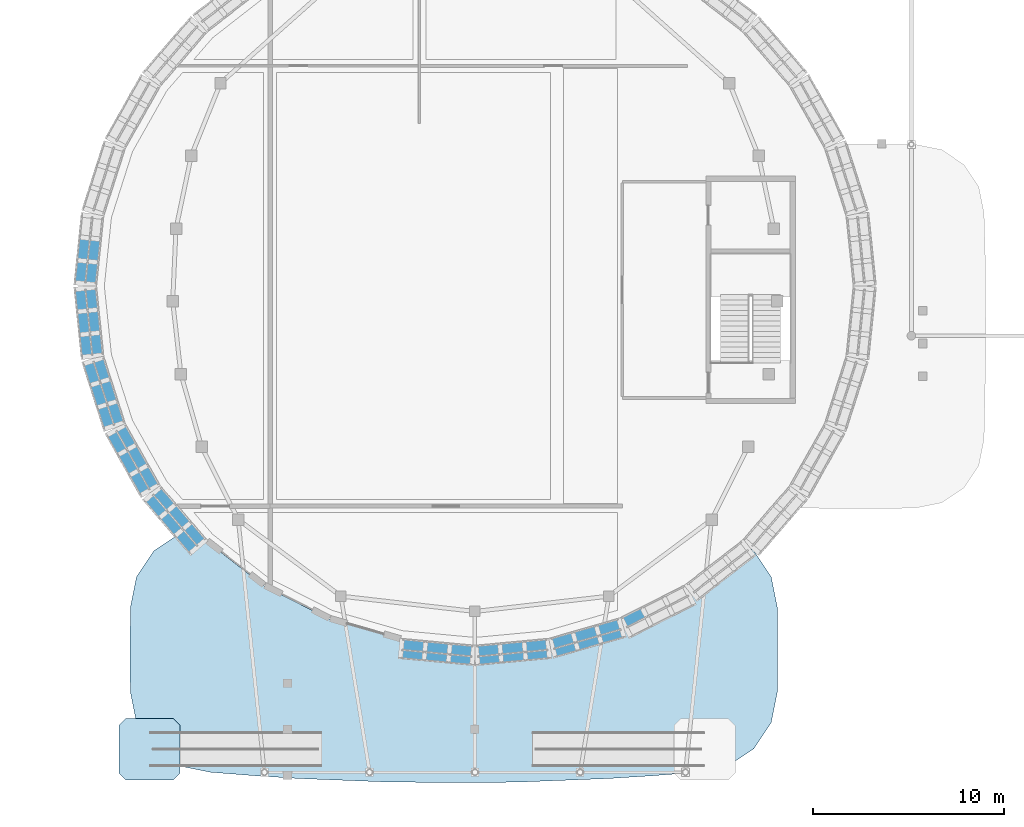
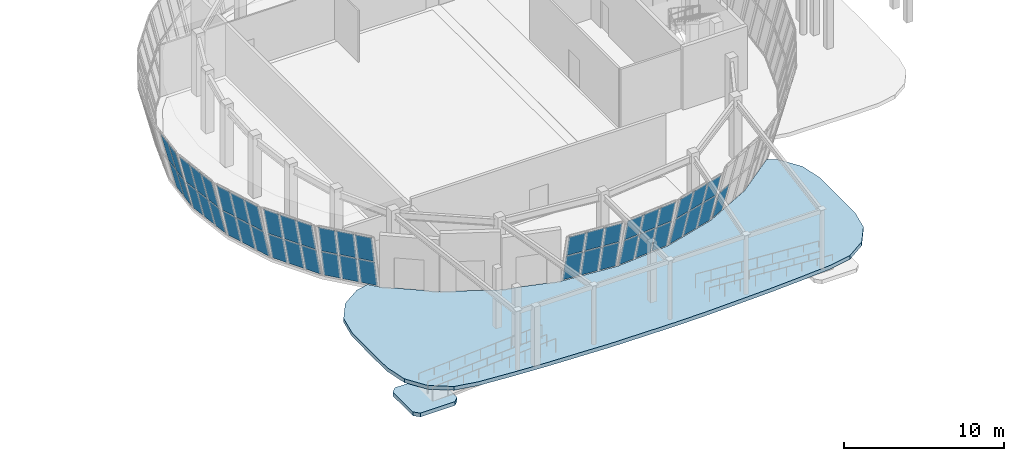
# One storey, part 66 of 120: 47 plates, 2 slabs, 9 elements without a shape of their own.
"""IFC4 building model written with IfcOpenShell, lengths in metres."""

from ifc_helpers import new_model, si_unit, direction, frame, origin, place, context, subcontext, project, spatial, polyline, outline, extrude, material, layer, layer_set, type_object, element, aggregate, save


model = new_model("IFC4")

# Units and contexts
model_context = context("Model", 3, precision=1e-05, world=origin(), true_north=direction((0.0, 1.0)))
body_context = subcontext(model_context, "Body", "Model", "MODEL_VIEW")
ifc_project = project(units=[si_unit("LENGTHUNIT", "METRE"), si_unit("AREAUNIT", "SQUARE_METRE"), si_unit("VOLUMEUNIT", "CUBIC_METRE"), si_unit("PLANEANGLEUNIT", "RADIAN"), si_unit("MASSUNIT", "GRAM", prefix="KILO")], contexts=[model_context])

# Site, building, storey
site_placement = place(None, origin())
site = spatial("IfcSite", under=ifc_project, at=site_placement, CompositionType="ELEMENT")
building_placement = place(site_placement, origin())
building = spatial("IfcBuilding", under=site, at=building_placement, Name="Corveleigh Park Community Centre", CompositionType="ELEMENT")
storey_placement = place(building_placement, origin())
storey = spatial("IfcBuildingStorey", under=building, at=storey_placement, Name="L00", CompositionType="ELEMENT", Elevation=0.0)

# Curtain wall, plates
ifc_material_1 = material(Name="Anodised aluminium 6063-T6", Category="aluminium")
curtain_wall_type = type_object("IfcCurtainWallType", Name="CW-SYS-V1-L00", PredefinedType="NOTDEFINED", material=ifc_material_1)
curtain_wall_1_placement = place(storey_placement, origin())
curtain_wall_1 = element("IfcCurtainWall", 1, at=curtain_wall_1_placement, inside=storey, type_object=curtain_wall_type, Name="Main Hall Flared Drum CW 16", PredefinedType="NOTDEFINED")
ifc_material_2 = material(Name="Low-E double glazing", Category="glass")
ifc_layer_1 = layer(ifc_material_2, 0.028076171875, Name="Low-E double glazing", Category="glass")
ifc_layer_set_1 = layer_set([ifc_layer_1], Name="Low-E double glazing")
plate_type = type_object("IfcPlateType", Name="CWP-GLZ-28", PredefinedType="CURTAIN_PANEL", material=ifc_layer_set_1)
plate_1_placement = place(storey_placement, frame((11.4296875, 29.99853515625, 0.074951171875), z_axis=(0.965121412, -0.099894306938, 0.241995428758), x_axis=(-0.102953732741, -0.994686145931, -2.608541e-06)))
plate_1 = element("IfcPlate", 2, at=plate_1_placement, type_object=plate_type, Name="CW01 panel 2.1", PredefinedType="CURTAIN_PANEL", context=body_context, shape_type="SweptSolid", body=[
    extrude(outline(polyline([(0.0, 0.0), (1.1312542424598007, -3.469446951953614e-18), (1.1312025546909217, -2.202930982348133), (0.0001911555284673442, -2.202924900362015), (0.0, 0.0)])), origin(), (0.0, 0.0, -1.0), 0.028076171875),
])
plate_2_placement = place(storey_placement, frame((10.880859375, 30.05517578125, 2.28759765625), z_axis=(0.96514925401, -0.099908028247, 0.24187869558), x_axis=(-0.102965432712, -0.994684934875, 0.0)))
plate_2 = element("IfcPlate", 3, at=plate_2_placement, type_object=plate_type, Name="CW01 panel 2.2", PredefinedType="CURTAIN_PANEL", context=body_context, shape_type="SweptSolid", body=[
    extrude(outline(polyline([(0.0, 0.0), (1.1310113992445434, 0.0), (1.131005233308954, -2.2151908400626152), (-6.165935589490798e-06, -2.2151908400626152), (0.0, 0.0)])), origin(), (0.0, 0.0, -1.0), 0.028076171875),
])
plate_3_placement = place(storey_placement, frame((11.304931640625, 28.793701171875, 0.074951171875), z_axis=(0.965147534385, -0.099880284773, 0.241897014417), x_axis=(-0.102937324698, -0.994687844092, 0.0)))
plate_3 = element("IfcPlate", 4, at=plate_3_placement, type_object=plate_type, Name="CW01 panel 3.1", PredefinedType="CURTAIN_PANEL", context=body_context, shape_type="SweptSolid", body=[
    extrude(outline(polyline([(0.0, 0.0), (1.0910006436399386, 0.0), (1.0909206062860608, -2.202872226533213), (-8.003735387782096e-05, -2.202872226533213), (0.0, 0.0)])), origin(), (0.0, 0.0, -1.0), 0.028076171875),
])
plate_4_placement = place(storey_placement, frame((10.756103515625, 28.8505859375, 2.28759765625), z_axis=(0.965152076883, -0.099880754863, 0.241878695415), x_axis=(-0.102937324698, -0.994687844092, 0.0)))
plate_4 = element("IfcPlate", 5, at=plate_4_placement, type_object=plate_type, Name="CW01 panel 3.2", PredefinedType="CURTAIN_PANEL", context=body_context, shape_type="SweptSolid", body=[
    extrude(outline(polyline([(0.0, 0.0), (1.0910006436399386, 0.0), (1.0909793367675753, -2.2151908399687263), (-2.1306872363381635e-05, -2.2151908399687263), (0.0, 0.0)])), origin(), (0.0, 0.0, -1.0), 0.028076171875),
])
aggregate(curtain_wall_1, [plate_1, plate_2, plate_3, plate_4])

curtain_wall_2_placement = place(storey_placement, origin())
curtain_wall_2 = element("IfcCurtainWall", 6, at=curtain_wall_2_placement, inside=storey, type_object=curtain_wall_type, Name="Main Hall Flared Drum CW 17", PredefinedType="NOTDEFINED")
plate_5_placement = place(storey_placement, frame((11.192626953125, 27.491455078125, 0.074951171875), z_axis=(0.965147534385, 0.099880284773, 0.241897014417), x_axis=(0.102937324698, -0.994687844092, 0.0)))
plate_5 = element("IfcPlate", 7, at=plate_5_placement, type_object=plate_type, Name="CW01 panel 1.1", PredefinedType="CURTAIN_PANEL", context=body_context, shape_type="SweptSolid", body=[
    extrude(outline(polyline([(0.0, 0.0), (1.0910006436399386, 0.0), (1.0910806809938163, -2.202872226533213), (8.003735387782096e-05, -2.202872226533213), (0.0, 0.0)])), origin(), (0.0, 0.0, -1.0), 0.028076171875),
])
plate_6_placement = place(storey_placement, frame((10.643798828125, 27.434814453125, 2.28759765625), z_axis=(0.965154376934, 0.099858527528, 0.241878695146), x_axis=(0.102914417151, -0.99469021446, 0.0)))
plate_6 = element("IfcPlate", 8, at=plate_6_placement, type_object=plate_type, Name="CW01 panel 1.2", PredefinedType="CURTAIN_PANEL", context=body_context, shape_type="SweptSolid", body=[
    extrude(outline(polyline([(0.0, 0.0), (1.091243487641259, 0.0), (1.0912771340836867, -2.215190839815669), (3.364644242780823e-05, -2.215190839815669), (0.0, 0.0)])), origin(), (0.0, 0.0, -1.0), 0.028076171875),
])
plate_7_placement = place(storey_placement, frame((11.313232421875, 26.32666015625, 0.074951171875), z_axis=(0.965121412, 0.099894306938, 0.241995428758), x_axis=(0.102953732741, -0.994686145931, 2.608541e-06)))
plate_7 = element("IfcPlate", 9, at=plate_7_placement, type_object=plate_type, Name="CW01 panel 2.1", PredefinedType="CURTAIN_PANEL", context=body_context, shape_type="SweptSolid", body=[
    extrude(outline(polyline([(0.0, 0.0), (1.1312542424598007, 3.469446951953614e-18), (1.1310630869313334, -2.202924900362015), (5.168776887919163e-05, -2.202930982348133), (0.0, 0.0)])), origin(), (0.0, 0.0, -1.0), 0.028076171875),
])
plate_8_placement = place(storey_placement, frame((10.764404296875, 26.269775390625, 2.28759765625), z_axis=(0.96514925401, 0.099908028247, 0.24187869558), x_axis=(0.102965432712, -0.994684934875, 0.0)))
plate_8 = element("IfcPlate", 10, at=plate_8_placement, type_object=plate_type, Name="CW01 panel 2.2", PredefinedType="CURTAIN_PANEL", context=body_context, shape_type="SweptSolid", body=[
    extrude(outline(polyline([(0.0, 0.0), (1.1310113992445434, 0.0), (1.131017565180133, -2.2151908400626152), (6.165935589490798e-06, -2.2151908400626152), (0.0, 0.0)])), origin(), (0.0, 0.0, -1.0), 0.028076171875),
])
plate_9_placement = place(storey_placement, frame((11.437744140625, 25.1220703125, 0.074951171875), z_axis=(0.965149834568, 0.099858057558, 0.241897013569), x_axis=(0.102914417151, -0.99469021446, 0.0)))
plate_9 = element("IfcPlate", 11, at=plate_9_placement, type_object=plate_type, Name="CW01 panel 3.1", PredefinedType="CURTAIN_PANEL", context=body_context, shape_type="SweptSolid", body=[
    extrude(outline(polyline([(0.0, 0.0), (1.091243487641259, 0.0), (1.091335796874543, -2.202872226053154), (9.230923328408548e-05, -2.202872226053154), (0.0, 0.0)])), origin(), (0.0, 0.0, -1.0), 0.028076171875),
])
plate_10_placement = place(storey_placement, frame((10.88916015625, 25.065185546875, 2.28759765625), z_axis=(0.965126479816, 0.099878105898, 0.241981904118), x_axis=(0.102937324698, -0.994687844092, 0.0)))
plate_10 = element("IfcPlate", 12, at=plate_10_placement, type_object=plate_type, Name="CW01 panel 3.2", PredefinedType="CURTAIN_PANEL", context=body_context, shape_type="SweptSolid", body=[
    extrude(outline(polyline([(0.0, 0.0), (1.0910006436399386, 0.0), (1.0909968193295143, -2.215249591220917), (-3.824310424199728e-06, -2.215249591220917), (0.0, 0.0)])), origin(), (0.0, 0.0, -1.0), 0.028076171875),
])
aggregate(curtain_wall_2, [plate_5, plate_6, plate_7, plate_8, plate_9, plate_10])

curtain_wall_3_placement = place(storey_placement, origin())
curtain_wall_3 = element("IfcCurtainWall", 13, at=curtain_wall_3_placement, inside=storey, type_object=curtain_wall_type, Name="Main Hall Flared Drum CW 18", PredefinedType="NOTDEFINED")
plate_11_placement = place(storey_placement, frame((11.594482421875, 23.82421875, 0.074951171875), z_axis=(0.924238399796, 0.295401892102, 0.241911352533), x_axis=(0.304444391368, -0.952530111106, 0.0)))
plate_11 = element("IfcPlate", 14, at=plate_11_placement, type_object=plate_type, Name="CW01 panel 1.1", PredefinedType="CURTAIN_PANEL", context=body_context, shape_type="SweptSolid", body=[
    extrude(outline(polyline([(0.0, 0.0), (1.0962272383307061, 0.0), (1.0963475103597462, -2.2028803419974667), (0.00012027202904019057, -2.202880341997467), (0.0, 0.0)])), origin(), (0.0, 0.0, -1.0), 0.028076171875),
])
plate_12_placement = place(storey_placement, frame((11.069091796875, 23.656005859375, 2.28759765625), z_axis=(0.92421523089, 0.295463568902, 0.241924547003), x_axis=(0.304508988552, -0.952509462363, 0.0)))
plate_12 = element("IfcPlate", 15, at=plate_12_placement, type_object=plate_type, Name="CW01 panel 1.2", PredefinedType="CURTAIN_PANEL", context=body_context, shape_type="SweptSolid", body=[
    extrude(outline(polyline([(0.0, 0.0), (1.0959946895543804, 1.3877787807814457e-17), (1.0958843442895703, -2.2152169371802213), (-0.00011034526481001894, -2.2152169371802213), (0.0, 0.0)])), origin(), (0.0, 0.0, -1.0), 0.028076171875),
])
plate_13_placement = place(storey_placement, frame((11.95263671875, 22.703857421875, 0.074951171875), z_axis=(0.924210611668, 0.295488816953, 0.24191135636), x_axis=(0.304533977361, -0.952501473297, 0.0)))
plate_13 = element("IfcPlate", 16, at=plate_13_placement, type_object=plate_type, Name="CW01 panel 2.1", PredefinedType="CURTAIN_PANEL", context=body_context, shape_type="SweptSolid", body=[
    extrude(outline(polyline([(0.0, 0.0), (1.1359890565361874, 0.0), (1.136059208101122, -2.2028803441637486), (7.015156493470065e-05, -2.2028803441637486), (0.0, 0.0)])), origin(), (0.0, 0.0, -1.0), 0.028076171875),
])
plate_14_placement = place(storey_placement, frame((11.42724609375, 22.535888671875, 2.28759765625), z_axis=(0.924199974742, 0.295485416112, 0.241956143862), x_axis=(0.304533977361, -0.952501473297, 0.0)))
plate_14 = element("IfcPlate", 17, at=plate_14_placement, type_object=plate_type, Name="CW01 panel 2.2", PredefinedType="CURTAIN_PANEL", context=body_context, shape_type="SweptSolid", body=[
    extrude(outline(polyline([(0.0, 0.0), (1.1359890565361874, 0.0), (1.1360971959343402, -2.2152349244859186), (0.00010813939815287887, -2.2152349244859186), (0.0, 0.0)])), origin(), (0.0, 0.0, -1.0), 0.028076171875),
])
plate_15_placement = place(storey_placement, frame((12.322998046875, 21.545654296875, 0.074951171875), z_axis=(0.924238399796, 0.295401892102, 0.241911352533), x_axis=(0.304444391368, -0.952530111106, 0.0)))
plate_15 = element("IfcPlate", 18, at=plate_15_placement, type_object=plate_type, Name="CW01 panel 3.1", PredefinedType="CURTAIN_PANEL", context=body_context, shape_type="SweptSolid", body=[
    extrude(outline(polyline([(0.0, 0.0), (1.0962272383307061, 0.0), (1.0963475103597462, -2.2028803419974667), (0.00012027202904019057, -2.202880341997467), (0.0, 0.0)])), origin(), (0.0, 0.0, -1.0), 0.028076171875),
])
plate_16_placement = place(storey_placement, frame((11.797607421875, 21.37744140625, 2.28759765625), z_axis=(0.92421523089, 0.295463568902, 0.241924547003), x_axis=(0.304508988552, -0.952509462363, 0.0)))
plate_16 = element("IfcPlate", 19, at=plate_16_placement, type_object=plate_type, Name="CW01 panel 3.2", PredefinedType="CURTAIN_PANEL", context=body_context, shape_type="SweptSolid", body=[
    extrude(outline(polyline([(0.0, 0.0), (1.0959946895543804, 1.3877787807814457e-17), (1.0958843442895703, -2.2152169371802213), (-0.00011034526481001894, -2.2152169371802213), (0.0, 0.0)])), origin(), (0.0, 0.0, -1.0), 0.028076171875),
])
aggregate(curtain_wall_3, [plate_11, plate_12, plate_13, plate_14, plate_15, plate_16])

curtain_wall_4_placement = place(storey_placement, origin())
curtain_wall_4 = element("IfcCurtainWall", 20, at=curtain_wall_4_placement, inside=storey, type_object=curtain_wall_type, Name="Main Hall Flared Drum CW 19", PredefinedType="NOTDEFINED")
plate_17_placement = place(storey_placement, frame((12.742919921875, 20.30419921875, 0.074951171875), z_axis=(0.845572958026, 0.475902510824, 0.241915631669), x_axis=(0.490470824454, -0.871457612486, 0.0)))
plate_17 = element("IfcPlate", 21, at=plate_17_placement, type_object=plate_type, Name="CW01 panel 1.1", PredefinedType="CURTAIN_PANEL", context=body_context, shape_type="SweptSolid", body=[
    extrude(outline(polyline([(0.0, 0.0), (1.1060402407301373, -1.3877787807814457e-17), (1.106151469944307, -2.2028827641260698), (0.00011122921416961695, -2.2028827641260698), (0.0, 0.0)])), origin(), (0.0, 0.0, -1.0), 0.028076171875),
])
plate_18_placement = place(storey_placement, frame((12.26220703125, 20.033447265625, 2.28759765625), z_axis=(0.845545685204, 0.475947438258, 0.241922570772), x_axis=(0.490520763399, -0.871429504041, -1.2710366e-05)))
plate_18 = element("IfcPlate", 22, at=plate_18_placement, type_object=plate_type, Name="CW01 panel 1.2", PredefinedType="CURTAIN_PANEL", context=body_context, shape_type="SweptSolid", body=[
    extrude(outline(polyline([(0.0, 0.0), (1.1058274874809264, -1.3877787807814457e-17), (1.1058400493478449, -2.2152302983719685), (-0.00020018947684150083, -2.2152013240576878), (0.0, 0.0)])), origin(), (0.0, 0.0, -1.0), 0.028076171875),
])
plate_19_placement = place(storey_placement, frame((13.32470703125, 19.270751953125, 0.074951171875), z_axis=(0.845561557323, 0.475899654299, 0.241961095667), x_axis=(0.490468874936, -0.871458709432, 2.1792119e-05)))
plate_19 = element("IfcPlate", 23, at=plate_19_placement, type_object=plate_type, Name="CW01 panel 2.1", PredefinedType="CURTAIN_PANEL", context=body_context, shape_type="SweptSolid", body=[
    extrude(outline(polyline([(0.0, 0.0), (1.1460441724578074, 0.0), (1.1462031733562068, -2.2028827587777835), (3.925752072972813e-05, -2.2029342405832093), (0.0, 0.0)])), origin(), (0.0, 0.0, -1.0), 0.028076171875),
])
plate_20_placement = place(storey_placement, frame((12.843994140625, 19.0, 2.28759765625), z_axis=(0.845558848019, 0.475911116905, 0.241948017852), x_axis=(0.490483775951, -0.871450323041, 0.0)))
plate_20 = element("IfcPlate", 24, at=plate_20_placement, type_object=plate_type, Name="CW01 panel 2.2", PredefinedType="CURTAIN_PANEL", context=body_context, shape_type="SweptSolid", body=[
    extrude(outline(polyline([(0.0, 0.0), (1.1458314144234052, 1.3877787807814457e-17), (1.14589404492158, -2.2152302982841046), (6.26304981747039e-05, -2.2152302982841046), (0.0, 0.0)])), origin(), (0.0, 0.0, -1.0), 0.028076171875),
])
plate_21_placement = place(storey_placement, frame((13.926025390625, 18.202392578125, 0.074951171875), z_axis=(0.845608850053, 0.475815618134, 0.241961092433), x_axis=(0.490391908208, -0.871502022863, -2.2581573e-05)))
plate_21 = element("IfcPlate", 25, at=plate_21_placement, type_object=plate_type, Name="CW01 panel 3.1", PredefinedType="CURTAIN_PANEL", context=body_context, shape_type="SweptSolid", body=[
    extrude(outline(polyline([(0.0, 0.0), (1.1060402359133414, -2.7755575615628914e-17), (1.1060317309074392, -2.2029342409163166), (0.00011121958106252822, -2.2028827617081026), (0.0, 0.0)])), origin(), (0.0, 0.0, -1.0), 0.028076171875),
])
plate_22_placement = place(storey_placement, frame((13.4453125, 17.931640625, 2.28759765625), z_axis=(0.845545685204, 0.475947438258, 0.241922570772), x_axis=(0.490520763399, -0.871429504041, -1.2710366e-05)))
plate_22 = element("IfcPlate", 26, at=plate_22_placement, type_object=plate_type, Name="CW01 panel 3.2", PredefinedType="CURTAIN_PANEL", context=body_context, shape_type="SweptSolid", body=[
    extrude(outline(polyline([(0.0, 0.0), (1.1058274874809264, -1.3877787807814457e-17), (1.1058400493478449, -2.2152302983719685), (-0.00020018947684150083, -2.2152013240576878), (0.0, 0.0)])), origin(), (0.0, 0.0, -1.0), 0.028076171875),
])
aggregate(curtain_wall_4, [plate_17, plate_18, plate_19, plate_20, plate_21, plate_22])

curtain_wall_5_placement = place(storey_placement, origin())
curtain_wall_5 = element("IfcCurtainWall", 27, at=curtain_wall_5_placement, inside=storey, type_object=curtain_wall_type, Name="Main Hall Flared Drum CW 20", PredefinedType="NOTDEFINED")
plate_23_placement = place(storey_placement, frame((14.59228515625, 17.062255859375, 0.074951171875), z_axis=(0.73404828675, 0.634528890091, 0.241963221087), x_axis=(0.653957406927, -0.756531367194, 1.9402051e-05)))
plate_23 = element("IfcPlate", 28, at=plate_23_placement, type_object=plate_type, Name="CW01 panel 1.1", PredefinedType="CURTAIN_PANEL", context=body_context, shape_type="SweptSolid", body=[
    extrude(outline(polyline([(0.0, 0.0), (1.1174713485171794, 0.0), (1.1176698295902288, -2.2028873559515003), (3.882350299882729e-05, -2.202932049573967), (0.0, 0.0)])), origin(), (0.0, 0.0, -1.0), 0.028076171875),
])
plate_24_placement = place(storey_placement, frame((14.1748046875, 16.701416015625, 2.28759765625), z_axis=(0.734043675867, 0.634539271127, 0.241949985157), x_axis=(0.653972704978, -0.756518143115, -1.6768558e-05)))
plate_24 = element("IfcPlate", 29, at=plate_24_placement, type_object=plate_type, Name="CW01 panel 1.2", PredefinedType="CURTAIN_PANEL", context=body_context, shape_type="SweptSolid", body=[
    extrude(outline(polyline([(0.0, 0.0), (1.1176310078887464, -2.7755575615628914e-17), (1.1176221602716365, -2.2152507333789075), (-0.0001935444293938893, -2.215212100323459), (0.0, 0.0)])), origin(), (0.0, 0.0, -1.0), 0.028076171875),
])
plate_25_placement = place(storey_placement, frame((15.375244140625, 16.15625, 0.074951171875), z_axis=(0.734074393715, 0.634526744226, 0.241889634655), x_axis=(0.653943437992, -0.756543442008, 1.6182402e-05)))
plate_25 = element("IfcPlate", 30, at=plate_25_placement, type_object=plate_type, Name="CW01 panel 2.1", PredefinedType="CURTAIN_PANEL", context=body_context, shape_type="SweptSolid", body=[
    extrude(outline(polyline([(0.0, 0.0), (1.1578018728364126, 2.7755575615628914e-17), (1.1578186093002019, -2.202848740357441), (0.00020143945256092863, -2.202887356143626), (0.0, 0.0)])), origin(), (0.0, 0.0, -1.0), 0.028076171875),
])
plate_26_placement = place(storey_placement, frame((14.9580078125, 15.79541015625, 2.28759765625), z_axis=(0.734063009963, 0.634516904222, 0.241949985865), x_axis=(0.653949544007, -0.756538164028, -1.6188772e-05)))
plate_26 = element("IfcPlate", 31, at=plate_26_placement, type_object=plate_type, Name="CW01 panel 2.2", PredefinedType="CURTAIN_PANEL", context=body_context, shape_type="SweptSolid", body=[
    extrude(outline(polyline([(0.0, 0.0), (1.1576171704917941, -2.7755575615628914e-17), (1.157625980307248, -2.2152507333791536), (-0.0001758918847480985, -2.2152121017955335), (0.0, 0.0)])), origin(), (0.0, 0.0, -1.0), 0.028076171875),
])
plate_27_placement = place(storey_placement, frame((16.1845703125, 15.2197265625, 0.074951171875), z_axis=(0.734016166689, 0.634607104553, 0.241855514494), x_axis=(0.654023576954, -0.756474163992, 0.0)))
plate_27 = element("IfcPlate", 32, at=plate_27_placement, type_object=plate_type, Name="CW01 panel 3.1", PredefinedType="CURTAIN_PANEL", context=body_context, shape_type="SweptSolid", body=[
    extrude(outline(polyline([(0.0, 0.0), (1.1176310105729081, 2.7755575615628914e-17), (1.117556720159179, -2.202848740530084), (-7.429041372922125e-05, -2.202848740530084), (0.0, 0.0)])), origin(), (0.0, 0.0, -1.0), 0.028076171875),
])
plate_28_placement = place(storey_placement, frame((15.767333984375, 14.859130859375, 2.28759765625), z_axis=(0.734043675867, 0.634539271127, 0.241949985157), x_axis=(0.653966378888, -0.756523611663, 1.6765787e-05)))
plate_28 = element("IfcPlate", 33, at=plate_28_placement, type_object=plate_type, Name="CW01 panel 3.2", PredefinedType="CURTAIN_PANEL", context=body_context, shape_type="SweptSolid", body=[
    extrude(outline(polyline([(0.0, 0.0), (1.1178157053686328, 0.0), (1.11769872133432, -2.215212105689578), (6.771411306564105e-05, -2.215250732361659), (0.0, 0.0)])), origin(), (0.0, 0.0, -1.0), 0.028076171875),
])
aggregate(curtain_wall_5, [plate_23, plate_24, plate_25, plate_26, plate_27, plate_28])

curtain_wall_6_placement = place(storey_placement, origin())
curtain_wall_6 = element("IfcCurtainWall", 34, at=curtain_wall_6_placement, inside=storey, type_object=curtain_wall_type, Name="Main Hall Flared Drum CW 21", PredefinedType="NOTDEFINED")
plate_29_placement = place(storey_placement, frame((27.239990234375, 9.1328125, 0.074951171875), z_axis=(0.09043374614, 0.966094594949, 0.241832527112), x_axis=(0.995647916016, -0.093194564399, -2.2354054e-05)))
plate_29 = element("IfcPlate", 35, at=plate_29_placement, type_object=plate_type, Name="CW01 panel 1.1", PredefinedType="CURTAIN_PANEL", context=body_context, shape_type="SweptSolid", body=[
    extrude(outline(polyline([(0.0, 0.0), (1.1563902282301948, 0.0), (1.156438946918643, -2.2028623758320727), (-0.00021711199524680703, -2.202809088187465), (0.0, 0.0)])), origin(), (0.0, 0.0, -1.0), 0.028076171875),
])
plate_30_placement = place(storey_placement, frame((27.1884765625, 8.583740234375, 2.28759765625), z_axis=(0.090322632325, 0.966103983397, 0.241836546771), x_axis=(0.995658100666, -0.093085694805, 0.0)))
plate_30 = element("IfcPlate", 36, at=plate_30_placement, type_object=plate_type, Name="CW01 panel 1.2", PredefinedType="CURTAIN_PANEL", context=body_context, shape_type="SweptSolid", body=[
    extrude(outline(polyline([(0.0, 0.0), (1.1566333135382143, 3.469446951953614e-18), (1.1564882484833878, -1.7288063907690914), (-0.0001450650548266235, -1.7288063907690914), (0.0, 0.0)])), origin(), (0.0, 0.0, -1.0), 0.028076171875),
])
plate_31_placement = place(storey_placement, frame((28.47119140625, 9.017578125, 0.074951171875), z_axis=(0.090482444517, 0.966103037241, 0.241780579594), x_axis=(0.995642762426, -0.093249609238, 2.232174e-06)))
plate_31 = element("IfcPlate", 37, at=plate_31_placement, type_object=plate_type, Name="CW01 panel 2.1", PredefinedType="CURTAIN_PANEL", context=body_context, shape_type="SweptSolid", body=[
    extrude(outline(polyline([(0.0, 0.0), (1.1963760032470554, -3.469446951953614e-18), (1.1964839654486328, -2.202803592401418), (-0.00013511464471790564, -2.2028090973089083), (0.0, 0.0)])), origin(), (0.0, 0.0, -1.0), 0.028076171875),
])
plate_32_placement = place(storey_placement, frame((28.419677734375, 8.468505859375, 2.28759765625), z_axis=(0.090471953719, 0.966090009081, 0.241836556262), x_axis=(0.995643701289, -0.093239584321, 0.0)))
plate_32 = element("IfcPlate", 38, at=plate_32_placement, type_object=plate_type, Name="CW01 panel 2.2", PredefinedType="CURTAIN_PANEL", context=body_context, shape_type="SweptSolid", body=[
    extrude(outline(polyline([(0.0, 0.0), (1.1966190801569887, 0.0), (1.1965386355920404, -1.7288063949837167), (-8.044456494846197e-05, -1.7288063949837167), (0.0, 0.0)])), origin(), (0.0, 0.0, -1.0), 0.028076171875),
])
plate_33_placement = place(storey_placement, frame((29.7421875, 8.898681640625, 0.074951171875), z_axis=(0.09043374614, 0.966094594949, 0.241832527112), x_axis=(0.995646770165, -0.093206804109, 2.6970746e-05)))
plate_33 = element("IfcPlate", 39, at=plate_33_placement, type_object=plate_type, Name="CW01 panel 3.1", PredefinedType="CURTAIN_PANEL", context=body_context, shape_type="SweptSolid", body=[
    extrude(outline(polyline([(0.0, 0.0), (1.1564129823035136, 3.469446951953614e-18), (1.1565509249462484, -2.202803586980192), (-8.237961460300729e-05, -2.2028678799071324), (0.0, 0.0)])), origin(), (0.0, 0.0, -1.0), 0.028076171875),
])
plate_34_placement = place(storey_placement, frame((29.690673828125, 8.349609375, 2.28759765625), z_axis=(0.090525664597, 0.966084977161, 0.241836558346), x_axis=(0.99563851597, -0.093294938321, 0.0)))
plate_34 = element("IfcPlate", 40, at=plate_34_placement, type_object=plate_type, Name="CW01 panel 3.2", PredefinedType="CURTAIN_PANEL", context=body_context, shape_type="SweptSolid", body=[
    extrude(outline(polyline([(0.0, 0.0), (1.156656065080595, 0.0), (1.1565988647098904, -1.72880639590905), (-5.720037070490327e-05, -1.72880639590905), (0.0, 0.0)])), origin(), (0.0, 0.0, -1.0), 0.028076171875),
])
aggregate(curtain_wall_6, [plate_29, plate_30, plate_31, plate_32, plate_33, plate_34])

curtain_wall_7_placement = place(storey_placement, origin())
curtain_wall_7 = element("IfcCurtainWall", 41, at=curtain_wall_7_placement, inside=storey, type_object=curtain_wall_type, Name="Main Hall Flared Drum CW 22", PredefinedType="NOTDEFINED")
plate_35_placement = place(storey_placement, frame((31.1064453125, 8.790771484375, 0.074951171875), z_axis=(-0.09043374614, 0.966094594949, 0.241832527112), x_axis=(0.995646770165, 0.093206804109, -2.6970746e-05)))
plate_35 = element("IfcPlate", 42, at=plate_35_placement, type_object=plate_type, Name="CW01 panel 1.1", PredefinedType="CURTAIN_PANEL", context=body_context, shape_type="SweptSolid", body=[
    extrude(outline(polyline([(0.0, 0.0), (1.1564129823035136, -3.469446951953614e-18), (1.1564953619181166, -2.2028678799071324), (-0.00013794264273494423, -2.202803586980192), (0.0, 0.0)])), origin(), (0.0, 0.0, -1.0), 0.028076171875),
])
plate_36_placement = place(storey_placement, frame((31.15771484375, 8.24169921875, 2.28759765625), z_axis=(-0.090525664597, 0.966084977161, 0.241836558346), x_axis=(0.99563851597, 0.093294938321, 0.0)))
plate_36 = element("IfcPlate", 43, at=plate_36_placement, type_object=plate_type, Name="CW01 panel 1.2", PredefinedType="CURTAIN_PANEL", context=body_context, shape_type="SweptSolid", body=[
    extrude(outline(polyline([(0.0, 0.0), (1.156656065080595, 0.0), (1.1567132654513002, -1.72880639590905), (5.720037070490327e-05, -1.72880639590905), (0.0, 0.0)])), origin(), (0.0, 0.0, -1.0), 0.028076171875),
])
plate_37_placement = place(storey_placement, frame((32.337646484375, 8.906005859375, 0.074951171875), z_axis=(-0.090482444517, 0.966103037241, 0.241780579594), x_axis=(0.995642762426, 0.093249609238, -2.232174e-06)))
plate_37 = element("IfcPlate", 44, at=plate_37_placement, type_object=plate_type, Name="CW01 panel 2.1", PredefinedType="CURTAIN_PANEL", context=body_context, shape_type="SweptSolid", body=[
    extrude(outline(polyline([(0.0, 0.0), (1.1963760032470554, 3.469446951953614e-18), (1.1965111178917733, -2.202809097308908), (-0.0001079622015775951, -2.202803592401418), (0.0, 0.0)])), origin(), (0.0, 0.0, -1.0), 0.028076171875),
])
plate_38_placement = place(storey_placement, frame((32.388916015625, 8.35693359375, 2.28759765625), z_axis=(-0.090471953719, 0.966090009081, 0.241836556262), x_axis=(0.995643701289, 0.093239584321, 0.0)))
plate_38 = element("IfcPlate", 45, at=plate_38_placement, type_object=plate_type, Name="CW01 panel 2.2", PredefinedType="CURTAIN_PANEL", context=body_context, shape_type="SweptSolid", body=[
    extrude(outline(polyline([(0.0, 0.0), (1.1966190801569887, 0.0), (1.1966995247219374, -1.7288063949837167), (8.044456494846197e-05, -1.7288063949837167), (0.0, 0.0)])), origin(), (0.0, 0.0, -1.0), 0.028076171875),
])
plate_39_placement = place(storey_placement, frame((33.608642578125, 9.025146484375, 0.074951171875), z_axis=(-0.09043374614, 0.966094594949, 0.241832527112), x_axis=(0.995647916016, 0.093194564399, 2.2354054e-05)))
plate_39 = element("IfcPlate", 46, at=plate_39_placement, type_object=plate_type, Name="CW01 panel 3.1", PredefinedType="CURTAIN_PANEL", context=body_context, shape_type="SweptSolid", body=[
    extrude(outline(polyline([(0.0, 0.0), (1.1563902282301948, 0.0), (1.1566073402254418, -2.202809088187465), (-4.871868844826043e-05, -2.2028623758320727), (0.0, 0.0)])), origin(), (0.0, 0.0, -1.0), 0.028076171875),
])
plate_40_placement = place(storey_placement, frame((33.659912109375, 8.47607421875, 2.28759765625), z_axis=(-0.090322632325, 0.966103983397, 0.241836546771), x_axis=(0.995658100666, 0.093085694805, 0.0)))
plate_40 = element("IfcPlate", 47, at=plate_40_placement, type_object=plate_type, Name="CW01 panel 3.2", PredefinedType="CURTAIN_PANEL", context=body_context, shape_type="SweptSolid", body=[
    extrude(outline(polyline([(0.0, 0.0), (1.1566333135382143, -3.469446951953614e-18), (1.1567783785930412, -1.7288063907690914), (0.0001450650548266235, -1.7288063907690914), (0.0, 0.0)])), origin(), (0.0, 0.0, -1.0), 0.028076171875),
])
aggregate(curtain_wall_7, [plate_35, plate_36, plate_37, plate_38, plate_39, plate_40])

curtain_wall_8_placement = place(storey_placement, origin())
curtain_wall_8 = element("IfcCurtainWall", 48, at=curtain_wall_8_placement, inside=storey, type_object=curtain_wall_type, Name="Main Hall Flared Drum CW 23", PredefinedType="NOTDEFINED")
plate_41_placement = place(storey_placement, frame((34.968994140625, 9.172119140625, 0.074951171875), z_axis=(-0.268629120486, 0.932385760462, 0.241857787374), x_axis=(0.96091364535, 0.27684827285, 0.0)))
plate_41 = element("IfcPlate", 49, at=plate_41_placement, type_object=plate_type, Name="CW01 panel 1.1", PredefinedType="CURTAIN_PANEL", context=body_context, shape_type="SweptSolid", body=[
    extrude(outline(polyline([(0.0, 0.0), (1.1517054196079088, 0.0), (1.151666604575158, -2.2028500266946653), (-3.881503275093845e-05, -2.2028500266946653), (0.0, 0.0)])), origin(), (0.0, 0.0, -1.0), 0.028076171875),
])
plate_42_placement = place(storey_placement, frame((35.12158203125, 8.642333984375, 2.28759765625), z_axis=(-0.268533827061, 0.932411978602, 0.241862535096), x_axis=(0.960943486362, 0.276744675553, 2.3904e-05)))
plate_42 = element("IfcPlate", 50, at=plate_42_placement, type_object=plate_type, Name="CW01 panel 1.2", PredefinedType="CURTAIN_PANEL", context=body_context, shape_type="SweptSolid", body=[
    extrude(outline(polyline([(0.0, 0.0), (1.151637847967741, -1.3877787807814457e-17), (1.1519716880846071, -1.7287895530905695), (0.0002662754988113041, -1.7288462969008058), (0.0, 0.0)])), origin(), (0.0, 0.0, -1.0), 0.028076171875),
])
plate_43_placement = place(storey_placement, frame((36.152587890625, 9.51318359375, 0.074951171875), z_axis=(-0.268533445956, 0.932413319749, 0.241857787878), x_axis=(0.960942047983, 0.276749671035, 0.0)))
plate_43 = element("IfcPlate", 51, at=plate_43_placement, type_object=plate_type, Name="CW01 panel 2.1", PredefinedType="CURTAIN_PANEL", context=body_context, shape_type="SweptSolid", body=[
    extrude(outline(polyline([(0.0, 0.0), (1.1918134650041907, 0.0), (1.1918293187203541, -2.2028500269795845), (1.5853716163333198e-05, -2.2028500269795845), (0.0, 0.0)])), origin(), (0.0, 0.0, -1.0), 0.028076171875),
])
plate_44_placement = place(storey_placement, frame((36.30517578125, 8.983154296875, 2.28759765625), z_axis=(-0.268531249893, 0.932405694484, 0.241889620953), x_axis=(0.960942047983, 0.276749671035, 0.0)))
plate_44 = element("IfcPlate", 52, at=plate_44_placement, type_object=plate_type, Name="CW01 panel 2.2", PredefinedType="CURTAIN_PANEL", context=body_context, shape_type="SweptSolid", body=[
    extrude(outline(polyline([(0.0, 0.0), (1.1918134650041907, 1.3877787807814457e-17), (1.1918028625189332, -1.7288299619236467), (-1.0602485257485417e-05, -1.7288299619236467), (0.0, 0.0)])), origin(), (0.0, 0.0, -1.0), 0.028076171875),
])
plate_45_placement = place(storey_placement, frame((37.37451171875, 9.864990234375, 0.074951171875), z_axis=(-0.268629120486, 0.932385760462, 0.241857787374), x_axis=(0.96091364535, 0.27684827285, 0.0)))
plate_45 = element("IfcPlate", 53, at=plate_45_placement, type_object=plate_type, Name="CW01 panel 3.1", PredefinedType="CURTAIN_PANEL", context=body_context, shape_type="SweptSolid", body=[
    extrude(outline(polyline([(0.0, 0.0), (1.1517054196079088, 0.0), (1.151666604575158, -2.2028500266946653), (-3.881503275093845e-05, -2.2028500266946653), (0.0, 0.0)])), origin(), (0.0, 0.0, -1.0), 0.028076171875),
])
plate_46_placement = place(storey_placement, frame((37.52734375, 9.335205078125, 2.28759765625), z_axis=(-0.268626923729, 0.932378135731, 0.241889619162), x_axis=(0.96091364535, 0.27684827285, 0.0)))
plate_46 = element("IfcPlate", 54, at=plate_46_placement, type_object=plate_type, Name="CW01 panel 3.2", PredefinedType="CURTAIN_PANEL", context=body_context, shape_type="SweptSolid", body=[
    extrude(outline(polyline([(0.0, 0.0), (1.1517054196079088, 1.3877787807814457e-17), (1.1516519066160895, -1.7288299611279558), (-5.351299181932667e-05, -1.7288299611279558), (0.0, 0.0)])), origin(), (0.0, 0.0, -1.0), 0.028076171875),
])
aggregate(curtain_wall_8, [plate_41, plate_42, plate_43, plate_44, plate_45, plate_46])

# Curtain wall, plate
curtain_wall_9_placement = place(storey_placement, origin())
curtain_wall_9 = element("IfcCurtainWall", 55, at=curtain_wall_9_placement, inside=storey, type_object=curtain_wall_type, Name="Main Hall Flared Drum CW 24", PredefinedType="NOTDEFINED")
plate_47_placement = place(storey_placement, frame((38.6787109375, 10.261474609375, 0.074951171875), z_axis=(-0.439065417238, 0.865284182343, 0.241877744269), x_axis=(0.891763555361, 0.452501669974, 0.0)))
plate_47 = element("IfcPlate", 56, at=plate_47_placement, type_object=plate_type, Name="CW01 panel 1.1", PredefinedType="CURTAIN_PANEL", context=body_context, shape_type="SweptSolid", body=[
    extrude(outline(polyline([(0.0, 0.0), (1.1432753041660069, 0.0), (1.143395944529275, -2.2028613204057095), (0.00012064036326828081, -2.2028613204057095), (0.0, 0.0)])), origin(), (0.0, 0.0, -1.0), 0.028076171875),
])
aggregate(curtain_wall_9, [plate_47])

# Slabs
ifc_material_3 = material(Name="Concrete C32/40", Category="concrete")
ifc_layer_2 = layer(ifc_material_3, 0.2900390625, Name="Concrete C32/40", Category="concrete")
ifc_layer_set_2 = layer_set([ifc_layer_2], Name="Concrete C32/40")
slab_type = type_object("IfcSlabType", Name="SLB-APR-290", PredefinedType="FLOOR", material=ifc_layer_set_2)
slab_1_placement = place(storey_placement, frame((0.0, 0.0, -0.2900390625)))
element("IfcSlab", 57, at=slab_1_placement, inside=storey, type_object=slab_type, Name="Main Hall South Entrance Apron", PredefinedType="FLOOR", context=body_context, shape_type="SweptSolid", body=[
    extrude(outline(polyline([(45.570068359375, 13.77001953125), (46.47998046875, 12.406982421875), (46.800048828125, 10.800048828125), (46.800048828125, 6.39990234375), (46.47998046875, 4.79296875), (45.570068359375, 3.429931640625), (44.20703125, 2.52001953125), (42.60009765625, 2.199951171875), (40.294921875, 2.01806640625), (37.988037109375, 1.8720703125), (33.367919921875, 1.68994140625), (31.055908203125, 1.653076171875), (26.431884765625, 1.68994140625), (21.81201171875, 1.8720703125), (19.5048828125, 2.01806640625), (17.199951171875, 2.199951171875), (15.593017578125, 2.52001953125), (14.22998046875, 3.429931640625), (13.320068359375, 4.79296875), (13.0, 6.39990234375), (12.986083984375, 7.866943359375), (13.0, 10.800048828125), (13.320068359375, 12.406982421875), (14.22998046875, 13.77001953125), (15.593017578125, 14.679931640625), (16.47705078125, 14.85595703125), (16.97705078125, 14.279052734375), (19.97998046875, 11.93896484375), (23.410888671875, 10.197998046875), (27.131103515625, 9.1259765625), (30.9990234375, 8.764892578125), (34.868896484375, 9.1259765625), (38.589111328125, 10.197998046875), (42.01806640625, 11.93798828125), (44.924072265625, 14.200927734375), (45.570068359375, 13.77001953125)])), origin(), (0.0, 0.0, 1.0), 0.2900390625),
])
slab_2_placement = place(storey_placement, frame((0.0, 0.0, -0.889892578125)))
element("IfcSlab", 58, at=slab_2_placement, inside=storey, type_object=slab_type, Name="Ramp RM1 lower landing", PredefinedType="FLOOR", context=body_context, shape_type="SweptSolid", body=[
    extrude(outline(polyline([(12.75, 1.800048828125), (15.25, 1.800048828125), (15.60009765625, 2.14990234375), (15.60009765625, 4.64990234375), (15.25, 5.0), (12.75, 5.0), (12.39990234375, 4.64990234375), (12.39990234375, 2.14990234375), (12.75, 1.800048828125)])), origin(), (0.0, 0.0, 1.0), 0.289794921875),
])

save(model, "model.ifc")
